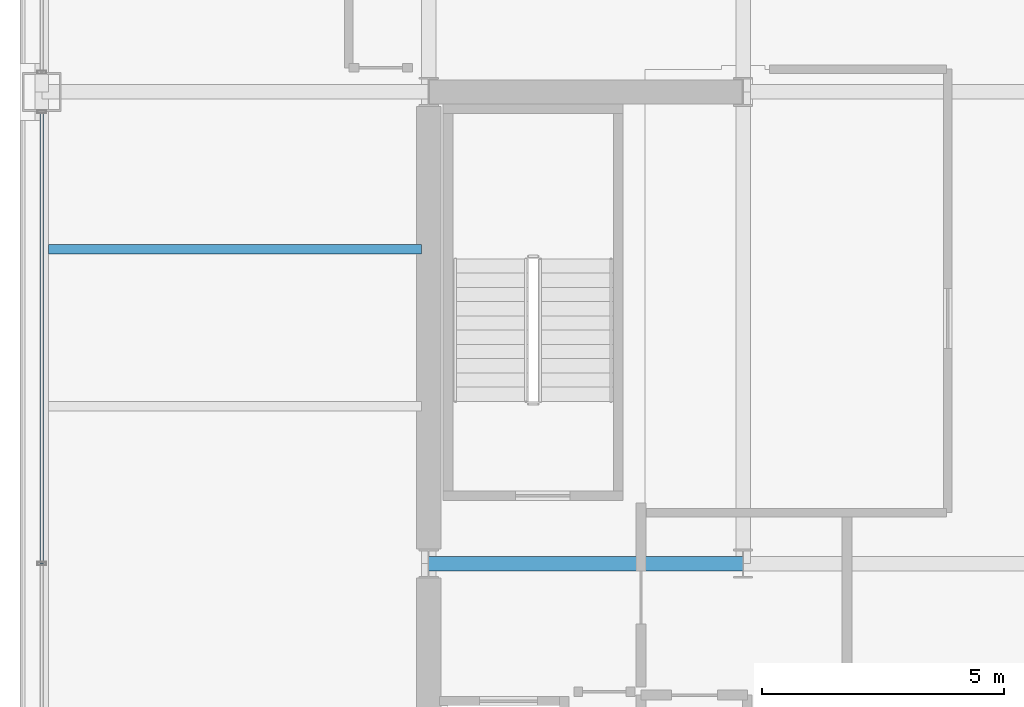
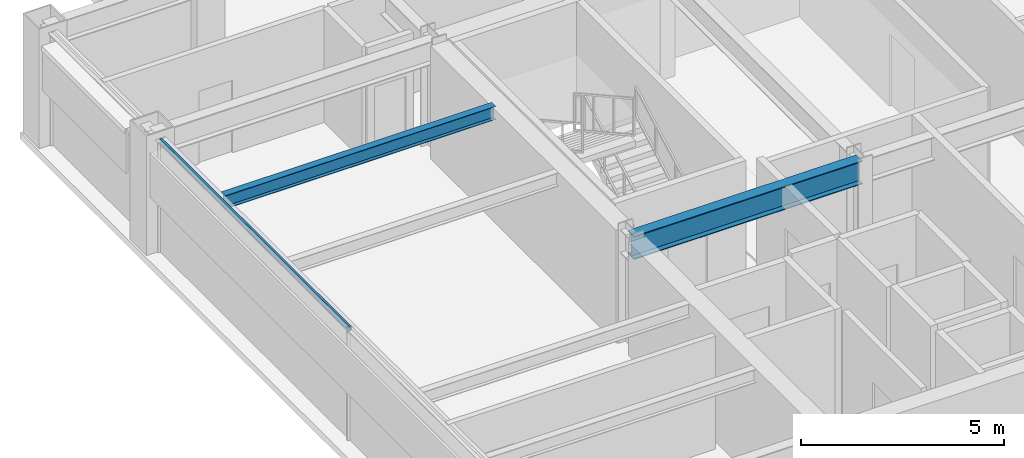
# One storey, part 9 of 29: 2 beams, 1 member, 1 element without a shape of its own.
"""IFC4 building model written with IfcOpenShell, lengths in metres."""

from ifc_helpers import new_model, si_unit, direction, frame, origin, origin_2d, place, context, subcontext, project, spatial, hollow_rectangle, i_section, extrude, material, layer, layer_set, material_profile, profile_set, type_object, element, aggregate, save


model = new_model("IFC4")

# Units and contexts
model_context = context("Model", 3, precision=1e-05, world=origin(), true_north=direction((0.0, 1.0)))
body_context = subcontext(model_context, "Body", "Model", "MODEL_VIEW")
ifc_project = project(units=[si_unit("LENGTHUNIT", "METRE"), si_unit("AREAUNIT", "SQUARE_METRE"), si_unit("VOLUMEUNIT", "CUBIC_METRE"), si_unit("PLANEANGLEUNIT", "RADIAN"), si_unit("MASSUNIT", "GRAM", prefix="KILO")], contexts=[model_context])

# Site, building, storey
site_placement = place(None, origin())
site = spatial("IfcSite", under=ifc_project, at=site_placement, CompositionType="ELEMENT")
building_placement = place(site_placement, origin())
building = spatial("IfcBuilding", under=site, at=building_placement, Name="Brelmoor Portico Tower", CompositionType="ELEMENT")
storey_placement = place(building_placement, frame((0.0, 0.0, 124.199951171875)))
storey = spatial("IfcBuildingStorey", under=building, at=storey_placement, Name="L32", CompositionType="ELEMENT", Elevation=124.199951171875)

# Beams
ifc_material_1 = material(Name="Steel Q355B", Category="steel")
ifc_material_profile_1 = material_profile(ifc_material_1, i_section(OverallWidth=0.199951171875, OverallDepth=0.39990234375, WebThickness=0.008056640625, FlangeThickness=0.012939453125, at=origin_2d()), Name="HN 400x200x8x13")
ifc_profile_set_1 = profile_set([ifc_material_profile_1], Name="Steel Q355B")
beam_type_1 = type_object("IfcBeamType", Name="BM-JS-400", PredefinedType="JOIST", material=ifc_profile_set_1)
beam_1_placement = place(storey_placement, frame((-22.409912109375, 6.5, 3.199951171875), z_axis=(1.0, 0.0, 0.0), x_axis=(0.0, 1.0, 0.0)))
element("IfcBeam", 1, at=beam_1_placement, inside=storey, type_object=beam_type_1, Name="L32 Secondary Wing Joist JS-W08", PredefinedType="JOIST", context=body_context, shape_type="SweptSolid", body=[
    extrude(i_section(OverallWidth=0.199951171875, OverallDepth=0.39990234375, WebThickness=0.008056640625, FlangeThickness=0.012939453125, at=origin_2d()), origin(), (0.0, 0.0, 1.0), 7.7099609375),
])
ifc_material_profile_2 = material_profile(ifc_material_1, i_section(OverallWidth=0.300048828125, OverallDepth=0.699951171875, WebThickness=0.012939453125, FlangeThickness=0.02392578125, at=origin_2d()), Name="HN 700x300x13x24")
ifc_profile_set_2 = profile_set([ifc_material_profile_2], Name="Steel Q355B")
beam_type_2 = type_object("IfcBeamType", Name="BM-PG-700", PredefinedType="BEAM", material=ifc_profile_set_2)
beam_2_placement = place(storey_placement, frame((-14.550048828125, 0.0, 3.050048828125), z_axis=(1.0, 0.0, 0.0), x_axis=(0.0, 1.0, 0.0)))
element("IfcBeam", 2, at=beam_2_placement, inside=storey, type_object=beam_type_2, Name="L32 Primary Floor Girder PG-19", PredefinedType="BEAM", context=body_context, shape_type="SweptSolid", body=[
    extrude(i_section(OverallWidth=0.300048828125, OverallDepth=0.699951171875, WebThickness=0.012939453125, FlangeThickness=0.02392578125, at=origin_2d()), origin(), (0.0, 0.0, 1.0), 6.5),
])

# Curtain wall, member
ifc_material_2 = material(Name="Anodised Aluminium Alloy 6063-T6", Category="aluminium")
ifc_layer = layer(ifc_material_2, 0.179931640625)
ifc_layer_set = layer_set([ifc_layer], Name="Anodised Aluminium Alloy 6063-T6")
curtain_wall_type = type_object("IfcCurtainWallType", Name="CW-TOWER-Z2-XB", PredefinedType="NOTDEFINED", material=ifc_layer_set)
curtain_wall_placement = place(storey_placement, origin())
curtain_wall = element("IfcCurtainWall", 3, at=curtain_wall_placement, inside=storey, type_object=curtain_wall_type, Name="L32 Curtain Wall CW-L32-03-2", PredefinedType="NOTDEFINED")
ifc_material_profile_3 = material_profile(ifc_material_2, hollow_rectangle(XDim=0.06494140625, YDim=0.139892578125, WallThickness=0.00390625, at=origin_2d()), Name="ALU TRANSOM 65x140")
ifc_profile_set_3 = profile_set([ifc_material_profile_3], Name="Anodised Aluminium Alloy 6063-T6")
member_type = type_object("IfcMemberType", Name="MB-CW-TRAN-140", PredefinedType="USERDEFINED", material=ifc_profile_set_3)
member_placement = place(storey_placement, frame((-22.550048828125, 0.0, 3.330078125), z_axis=(0.0, 1.0, 0.0), x_axis=(-1.0, 0.0, 0.0)))
member = element("IfcMember", 4, at=member_placement, type_object=member_type, Name="CW-L32-03-2 Transom 1-01", ObjectType="TRANSOM", PredefinedType="USERDEFINED", context=body_context, shape_type="SweptSolid", body=[
    extrude(hollow_rectangle(XDim=0.06494140625, YDim=0.139892578125, WallThickness=0.00390625, at=origin_2d()), origin(), (0.0, 0.0, 1.0), 9.340087890625),
])
aggregate(curtain_wall, [member])

save(model, "model.ifc")
